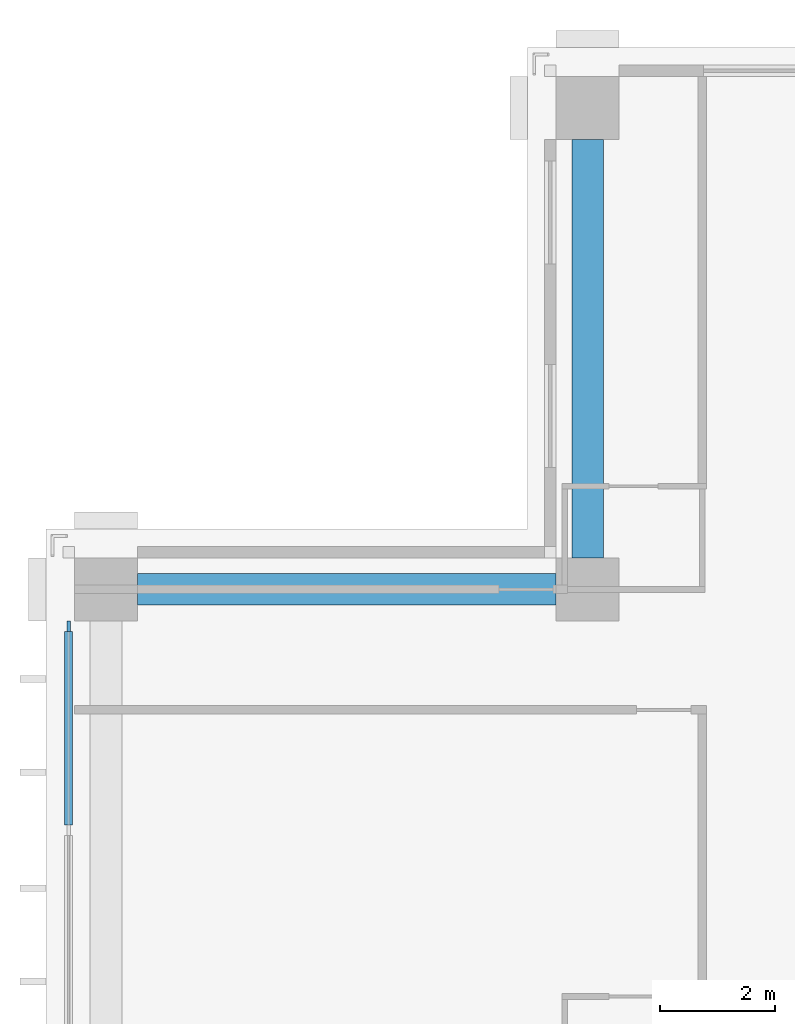
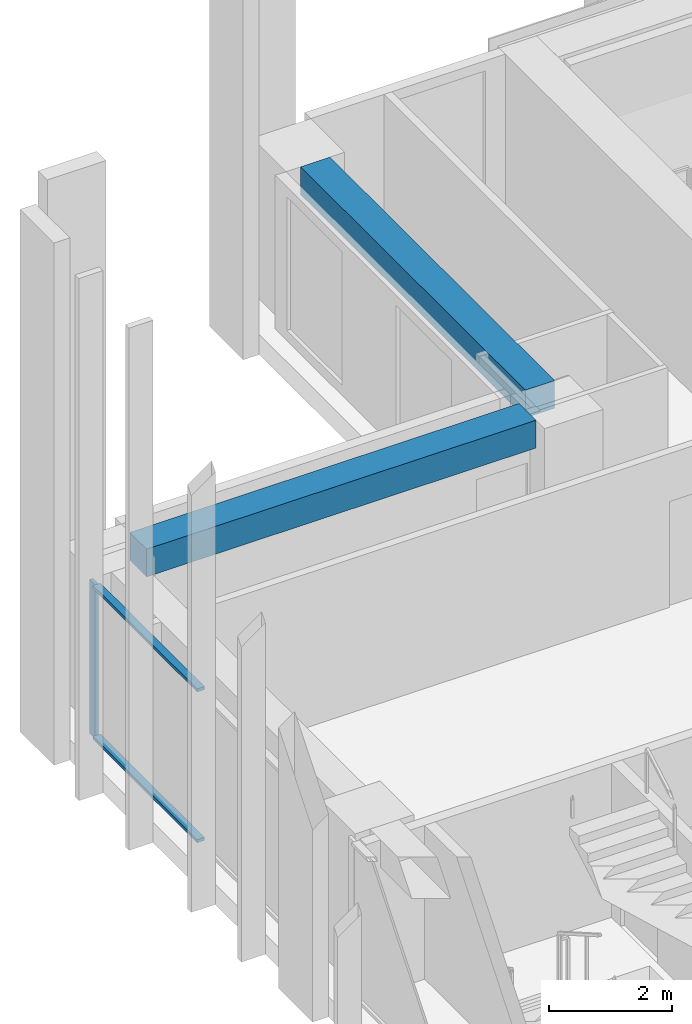
# One storey, part 6 of 16: 3 members, 2 beams, 1 element without a shape of its own.
"""IFC4 building model written with IfcOpenShell, lengths in metres."""

from ifc_helpers import new_model, si_unit, direction, frame, origin, origin_2d, place, context, subcontext, project, spatial, rectangle, extrude, material, material_profile, profile_set, type_object, element, aggregate, save


model = new_model("IFC4")

# Units and contexts
model_context = context("Model", 3, precision=1e-05, world=origin(), true_north=direction((0.0, 1.0)))
body_context = subcontext(model_context, "Body", "Model", "MODEL_VIEW")
ifc_project = project(units=[si_unit("LENGTHUNIT", "METRE"), si_unit("AREAUNIT", "SQUARE_METRE"), si_unit("VOLUMEUNIT", "CUBIC_METRE"), si_unit("PLANEANGLEUNIT", "RADIAN"), si_unit("MASSUNIT", "GRAM", prefix="KILO")], contexts=[model_context])

# Site, building, storey
site_placement = place(None, origin())
site = spatial("IfcSite", under=ifc_project, at=site_placement, CompositionType="ELEMENT")
building_placement = place(site_placement, origin())
building = spatial("IfcBuilding", under=site, at=building_placement, Name="Vermilion Ogive Tower", CompositionType="ELEMENT")
storey_placement = place(building_placement, frame((0.0, 0.0, 133.10009765625)))
storey = spatial("IfcBuildingStorey", under=building, at=storey_placement, Name="L33", CompositionType="ELEMENT", Elevation=133.10009765625)

# Curtain wall, members
ifc_material_1 = material(Name="Low-iron laminated glazing in aluminium frame", Category="aluminium")
curtain_wall_type = type_object("IfcCurtainWallType", Name="Curtain wall CW7", PredefinedType="NOTDEFINED", material=ifc_material_1)
curtain_wall_placement = place(storey_placement, origin())
curtain_wall = element("IfcCurtainWall", 1, at=curtain_wall_placement, inside=storey, type_object=curtain_wall_type, Name="Glazed skin W1", PredefinedType="NOTDEFINED")
ifc_material_2 = material(Name="Aluminium mullion", Category="aluminium")
ifc_material_profile_1 = material_profile(ifc_material_2, rectangle(XDim=0.06005859375, YDim=0.179931640625, at=origin_2d()), Name="AL 60x180")
ifc_profile_set_1 = profile_set([ifc_material_profile_1], Name="Aluminium mullion")
member_type_1 = type_object("IfcMemberType", Name="CW7 mullion 60x180", PredefinedType="MULLION", material=ifc_profile_set_1)
member_1_placement = place(storey_placement, frame((-21.64990234375, 11.9599609375, 0.0), z_axis=(0.0, 0.0, 1.0), x_axis=(1.0, 0.0, 0.0)))
member_1 = element("IfcMember", 2, at=member_1_placement, type_object=member_type_1, Name="CW7-W1 mullion 1", PredefinedType="MULLION", context=body_context, shape_type="SweptSolid", body=[
    extrude(rectangle(XDim=0.06005859375, YDim=0.179931640625, at=origin_2d()), origin(), (0.0, 0.0, 1.0), 3.0498046875),
])
ifc_material_3 = material(Name="Aluminium transom", Category="aluminium")
ifc_material_profile_2 = material_profile(ifc_material_3, rectangle(XDim=0.139892578125, YDim=0.06005859375, at=origin_2d()), Name="AL 60x140")
ifc_profile_set_2 = profile_set([ifc_material_profile_2], Name="Aluminium transom")
member_type_2 = type_object("IfcMemberType", Name="CW7 transom 60x140", PredefinedType="USERDEFINED", material=ifc_profile_set_2)
member_2_placement = place(storey_placement, frame((-21.64990234375, 11.8701171875, 0.02978515625), z_axis=(0.0, -1.0, 0.0), x_axis=(1.0, 0.0, 0.0)))
member_2 = element("IfcMember", 3, at=member_2_placement, type_object=member_type_2, Name="CW7-W1 transom 1.1", ObjectType="TRANSOM", PredefinedType="USERDEFINED", context=body_context, shape_type="SweptSolid", body=[
    extrude(rectangle(XDim=0.139892578125, YDim=0.06005859375, at=origin_2d()), origin(), (0.0, 0.0, 1.0), 3.380126953125),
])
member_3_placement = place(storey_placement, frame((-21.64990234375, 11.8701171875, 3.02001953125), z_axis=(0.0, -1.0, 0.0), x_axis=(1.0, 0.0, 0.0)))
member_3 = element("IfcMember", 4, at=member_3_placement, type_object=member_type_2, Name="CW7-W1 transom 1.2", ObjectType="TRANSOM", PredefinedType="USERDEFINED", context=body_context, shape_type="SweptSolid", body=[
    extrude(rectangle(XDim=0.139892578125, YDim=0.06005859375, at=origin_2d()), origin(), (0.0, 0.0, 1.0), 3.380126953125),
])
aggregate(curtain_wall, [member_1, member_2, member_3])

# Beams
ifc_material_4 = material(Name="Concrete B45", Category="concrete")
ifc_material_profile_3 = material_profile(ifc_material_4, rectangle(XDim=0.550048828125, YDim=0.550048828125, at=origin_2d()), Name="550 x 550")
ifc_profile_set_3 = profile_set([ifc_material_profile_3], Name="Concrete B45")
beam_type = type_object("IfcBeamType", Name="Edge beam 550 x 550 B45", PredefinedType="BEAM", material=ifc_profile_set_3)
for number, where, z_axis, x_axis, name in (
    (5, (-12.60009765625, 20.449951171875, 2.77490234375), (0.0, -1.0, 0.0), (1.0, 0.0, 0.0), "L33-EB-11"),
    (6, (-13.14990234375, 12.60009765625, 2.77490234375), (-1.0, 0.0, 0.0), (0.0, -1.0, 0.0), "L33-EB-12"),
):
    element("IfcBeam", number, at=place(storey_placement, frame(where, z_axis=z_axis, x_axis=x_axis)), inside=storey, type_object=beam_type, Name=name, PredefinedType="BEAM", context=body_context, shape_type="SweptSolid", body=[
        extrude(rectangle(XDim=0.550048828125, YDim=0.550048828125, at=origin_2d()), origin(), (0.0, 0.0, 1.0), 7.300048828125),
    ])

save(model, "model.ifc")
